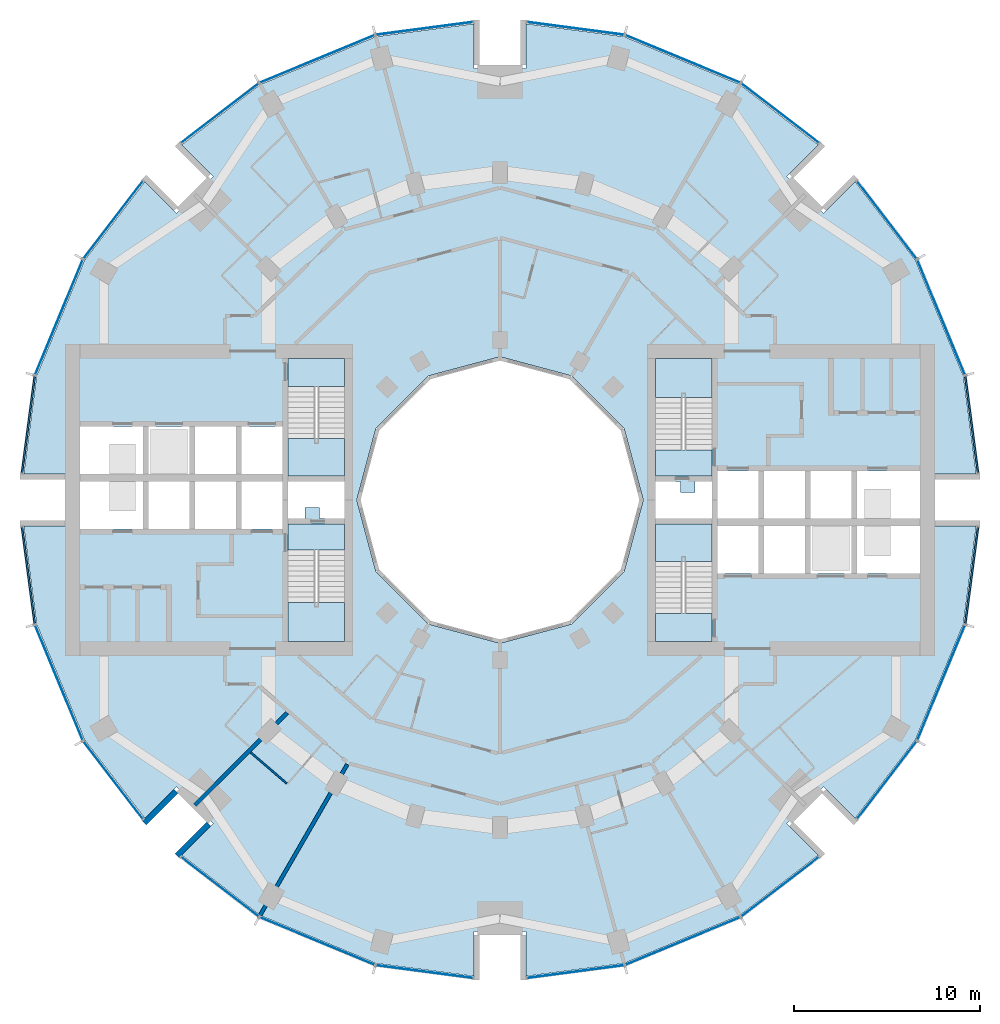
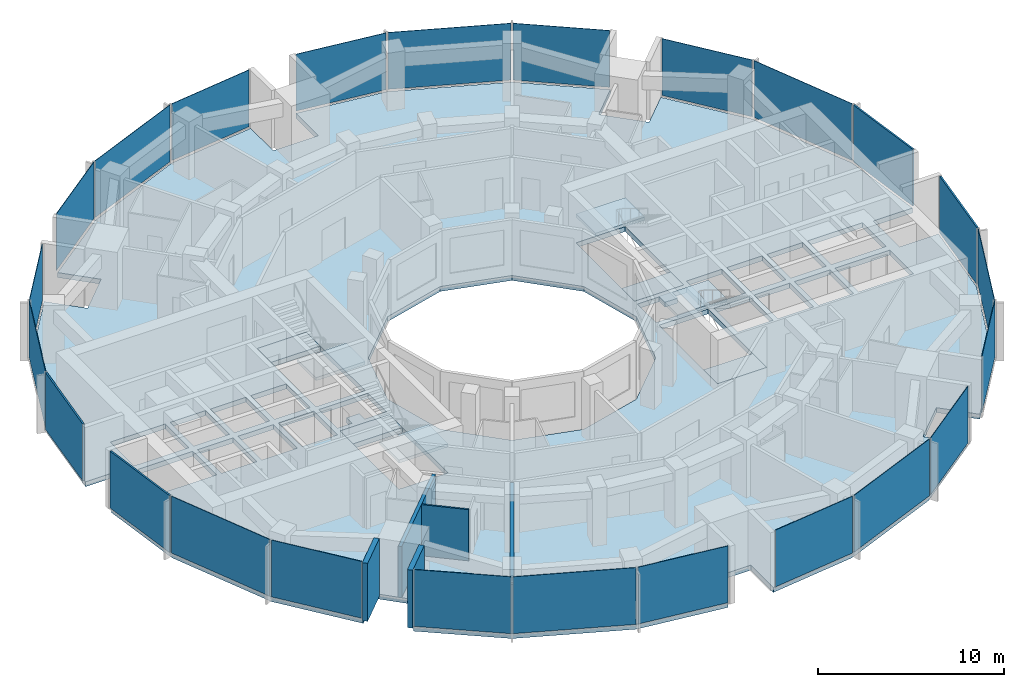
# One storey, part 7 of 15: 24 plates, 9 slabs, 5 walls, 28 elements without a shape of their own.
"""IFC4 building model written with IfcOpenShell, lengths in metres."""

import ifcopenshell
import ifcopenshell.guid

model = None  # the IFC model being written
_history = None  # IfcOwnerHistory: only IFC2X3 demands one
_inside = {}  # id of a spatial element -> (the spatial element, [elements in it])
_under = {}  # id of a project, library or spatial element -> (it, [spatial elements below it])
_declared = {}  # id of a project -> (the project, [libraries it declares])
_typed = {}  # id of a type object -> (the type object, [elements of that type])
_made_of = {}  # id of a material, layer set ... -> (it, [elements and type objects made of it])


def new_model(schema):
    """Start an empty IFC model of exactly this schema.

    Asked for "IFC4X3", IfcOpenShell would pick the latest addendum, in which some entities
    have other attributes; the version numbers below select the first issue.
    IFC2X3 requires an IfcOwnerHistory on every rooted entity: one is made here for all.
    """
    global model, _history
    if schema == "IFC4X3":
        model = ifcopenshell.file(schema_version=(4, 3, 0, 0))
    else:
        model = ifcopenshell.file(schema=schema)
    _inside.clear()
    _under.clear()
    _declared.clear()
    _typed.clear()
    _made_of.clear()
    _history = None
    if model.schema == "IFC2X3":
        org = make("IfcOrganization", Name="unknown")
        user = make(
            "IfcPersonAndOrganization",
            ThePerson=make("IfcPerson", FamilyName="unknown"),
            TheOrganization=org,
        )
        app = make(
            "IfcApplication",
            ApplicationDeveloper=org,
            Version="unknown",
            ApplicationFullName="unknown",
            ApplicationIdentifier="unknown",
        )
        _history = make(
            "IfcOwnerHistory",
            OwningUser=user,
            OwningApplication=app,
            ChangeAction="ADDED",
            CreationDate=0,
        )
    return model


def make(cls, **values):
    """One entity of the class cls with the attributes given. An attribute that is None is left unset."""
    return model.create_entity(
        cls, **{name: value for name, value in values.items() if value is not None}
    )


def rooted(cls, **values):
    """An entity with a GlobalId (a new one), such as an element, a storey or a relation."""
    return make(cls, GlobalId=ifcopenshell.guid.new(), OwnerHistory=_history, **values)


def si_unit(unit_type, name, prefix=None):
    """IfcSIUnit, for example si_unit("LENGTHUNIT", "METRE", prefix="MILLI")."""
    return make("IfcSIUnit", UnitType=unit_type, Prefix=prefix, Name=name)


def assignment(units):
    """IfcUnitAssignment: the units of a project."""
    return None if units is None else make("IfcUnitAssignment", Units=units)


def point(xyz):
    """IfcCartesianPoint."""
    return None if xyz is None else make("IfcCartesianPoint", Coordinates=xyz)


def direction(xyz):
    """IfcDirection."""
    return None if xyz is None else make("IfcDirection", DirectionRatios=xyz)


def frame(location, z_axis=None, x_axis=None):
    """IfcAxis2Placement3D, a coordinate frame: its origin and axes. An axis left out is left unset."""
    return make(
        "IfcAxis2Placement3D",
        Location=point(location),
        Axis=direction(z_axis),
        RefDirection=direction(x_axis),
    )


def frame_2d(location, x_axis=None):
    """IfcAxis2Placement2D, a coordinate frame in the plane: its origin and x axis."""
    return make(
        "IfcAxis2Placement2D", Location=point(location), RefDirection=direction(x_axis)
    )


def origin():
    """The frame at (0, 0, 0) with its axes left unset."""
    return frame((0.0, 0.0, 0.0))


def origin_2d():
    """The frame at (0, 0) in the plane with its x axis left unset."""
    return frame_2d((0.0, 0.0))


def place(relative_to, where):
    """IfcLocalPlacement: puts the frame where relative to a parent placement (None: the world)."""
    return make(
        "IfcLocalPlacement", PlacementRelTo=relative_to, RelativePlacement=where
    )


def context(
    kind, dimensions, precision=None, world=None, true_north=None, identifier=None
):
    """IfcGeometricRepresentationContext, for example the 3D "Model" context."""
    return make(
        "IfcGeometricRepresentationContext",
        ContextIdentifier=identifier,
        ContextType=kind,
        CoordinateSpaceDimension=dimensions,
        Precision=precision,
        WorldCoordinateSystem=world,
        TrueNorth=true_north,
    )


def subcontext(parent, identifier, kind, view, scale=None):
    """IfcGeometricRepresentationSubContext, for example "Body" below "Model"."""
    return make(
        "IfcGeometricRepresentationSubContext",
        ContextIdentifier=identifier,
        ContextType=kind,
        ParentContext=parent,
        TargetScale=scale,
        TargetView=view,
    )


def project(units=None, contexts=None):
    """IfcProject with its units and contexts."""
    return rooted(
        "IfcProject",
        Name="project",
        RepresentationContexts=contexts,
        UnitsInContext=assignment(units),
    )


def spatial(cls, under=None, at=None, **own):
    """A site, building, storey or space (cls), placed at a placement, below another one or the project."""
    s = rooted(cls, ObjectPlacement=at, **own)
    if under is not None:
        _under.setdefault(under.id(), (under, []))[1].append(s)
    return s


def polyline(points):
    """IfcPolyline through the points."""
    return make("IfcPolyline", Points=[point(p) for p in points])


def profile(cls, at=None, kind="AREA", **sizes):
    """A parametric profile (cls). Its sizes go by their IFC names, for example OverallWidth=200.0."""
    return make(cls, ProfileType=kind, Position=at, **sizes)


def rectangle(**sizes):
    """IfcRectangleProfileDef."""
    return profile("IfcRectangleProfileDef", **sizes)


def outline(outer, holes=None, kind="AREA"):
    """IfcArbitraryClosedProfileDef: a profile drawn as a closed curve; with holes, ...WithVoids."""
    if holes is None:
        return make("IfcArbitraryClosedProfileDef", ProfileType=kind, OuterCurve=outer)
    return make(
        "IfcArbitraryProfileDefWithVoids",
        ProfileType=kind,
        OuterCurve=outer,
        InnerCurves=holes,
    )


def extrude(swept, where, along, depth):
    """IfcExtrudedAreaSolid: the profile swept, set in the frame where, extruded along a direction by depth."""
    return make(
        "IfcExtrudedAreaSolid",
        SweptArea=swept,
        Position=where,
        ExtrudedDirection=direction(along),
        Depth=depth,
    )


def shape(context_of_items, identifier, shape_type, items):
    """IfcShapeRepresentation: the items that make up one representation, for example the "Body"."""
    return make(
        "IfcShapeRepresentation",
        ContextOfItems=context_of_items,
        RepresentationIdentifier=identifier,
        RepresentationType=shape_type,
        Items=items,
    )


def material(Name=None, Category=None):
    """IfcMaterial."""
    return make("IfcMaterial", Name=Name, Category=Category)


def layer(
    of_material, thickness, ventilated=None, Name=None, Category=None, Priority=None
):
    """IfcMaterialLayer: one layer of a wall or slab, of a material (None: an air gap)."""
    return make(
        "IfcMaterialLayer",
        Material=of_material,
        LayerThickness=thickness,
        IsVentilated=ventilated,
        Name=Name,
        Category=Category,
        Priority=Priority,
    )


def layer_set(layers, Name=None):
    """IfcMaterialLayerSet."""
    return make("IfcMaterialLayerSet", MaterialLayers=layers, LayerSetName=Name)


def made_of(thing, what):
    """Note that an element or type object is made of a material, layer set ...; save() writes the relation."""
    if what is not None:
        _made_of.setdefault(what.id(), (what, []))[1].append(thing)
    return thing


def type_object(cls, material=None, **own):
    """A type object (cls), such as IfcWallType, which elements share."""
    return made_of(rooted(cls, **own), material)


def element(
    cls,
    number,
    at=None,
    inside=None,
    cuts=None,
    type_object=None,
    material=None,
    context=None,
    identifier="Body",
    shape_type=None,
    held_by="IfcProductDefinitionShape",
    body=None,
    shapes=None,
    **own,
):
    """One element of the class cls, such as IfcWall. Its Tag is "e" and its number.

    at: its placement. inside: the storey or other place that contains it. cuts: it is an
    opening in that element (IfcRelVoidsElement). A single representation is given by context,
    identifier, shape_type and body (its items); several are given by shapes. held_by: the class
    of the entity that holds the representations. save() writes the other relations.
    """
    e = rooted(cls, Tag="e%d" % number, ObjectPlacement=at, **own)
    if body is not None:
        shapes = [shape(context, identifier, shape_type, body)]
    if shapes is not None:
        e.Representation = make(held_by, Representations=shapes)
    if inside is not None:
        _inside.setdefault(inside.id(), (inside, []))[1].append(e)
    if cuts is not None:
        rooted(
            "IfcRelVoidsElement", RelatingBuildingElement=cuts, RelatedOpeningElement=e
        )
    if type_object is not None:
        _typed.setdefault(type_object.id(), (type_object, []))[1].append(e)
    return made_of(e, material)


def aggregate(whole, parts):
    """IfcRelAggregates: a whole, such as a stair, and the parts it consists of."""
    return rooted("IfcRelAggregates", RelatingObject=whole, RelatedObjects=parts)


def save(model, path):
    """Write the relations noted so far, then the file.

    IfcRelAggregates (storeys below a building ...), IfcRelContainedInSpatialStructure (elements
    in a storey), IfcRelDefinesByType, IfcRelAssociatesMaterial and IfcRelDeclares: one each for
    every whole, place, type object, material and project.
    """
    for whole, parts in _under.values():
        aggregate(whole, parts)
    for where, things in _inside.values():
        rooted(
            "IfcRelContainedInSpatialStructure",
            RelatedElements=things,
            RelatingStructure=where,
        )
    for kind, things in _typed.values():
        rooted("IfcRelDefinesByType", RelatedObjects=things, RelatingType=kind)
    for what, things in _made_of.values():
        rooted("IfcRelAssociatesMaterial", RelatedObjects=things, RelatingMaterial=what)
    for by, libraries in _declared.values():
        rooted("IfcRelDeclares", RelatingContext=by, RelatedDefinitions=libraries)
    model.write(path)


model = new_model("IFC4")

# Units and contexts
model_context = context("Model", 3, precision=1e-05, world=origin(), true_north=direction((0.0, 1.0)))
body_context = subcontext(model_context, "Body", "Model", "MODEL_VIEW")
ifc_project = project(units=[si_unit("LENGTHUNIT", "METRE"), si_unit("AREAUNIT", "SQUARE_METRE"), si_unit("VOLUMEUNIT", "CUBIC_METRE"), si_unit("PLANEANGLEUNIT", "RADIAN"), si_unit("MASSUNIT", "GRAM", prefix="KILO")], contexts=[model_context])

# Site, building, storey
site_placement = place(None, origin())
site = spatial("IfcSite", under=ifc_project, at=site_placement, CompositionType="ELEMENT")
building_placement = place(site_placement, origin())
building = spatial("IfcBuilding", under=site, at=building_placement, Name="Torre Brocal", CompositionType="ELEMENT")
storey_placement = place(building_placement, frame((0.0, 0.0, 101.39990234375)))
storey = spatial("IfcBuildingStorey", under=building, at=storey_placement, Name="L23", CompositionType="ELEMENT", Elevation=101.39990234375)

# Curtain wall, plate
ifc_material_1 = material(Name="Aluminium and glass", Category="aluminium")
ifc_layer_1 = layer(ifc_material_1, 0.199951171875)
ifc_layer_set_1 = layer_set([ifc_layer_1], Name="Aluminium and glass")
curtain_wall_type_1 = type_object("IfcCurtainWallType", Name="CW-1 CURTAIN WALL 3800 HIGH", PredefinedType="NOTDEFINED", material=ifc_layer_set_1)
curtain_wall_1_placement = place(storey_placement, origin())
curtain_wall_1 = element("IfcCurtainWall", 1, at=curtain_wall_1_placement, inside=storey, type_object=curtain_wall_type_1, Name="CW-1 RUN 2", PredefinedType="NOTDEFINED")
ifc_material_2 = material(Name="Glass, dark tinted laminated", Category="glass")
ifc_layer_2 = layer(ifc_material_2, 0.031982421875)
ifc_layer_set_2 = layer_set([ifc_layer_2], Name="Glass, dark tinted laminated")
plate_type_1 = type_object("IfcPlateType", Name="CW-1 GLASS PANEL 32", PredefinedType="CURTAIN_PANEL", material=ifc_layer_set_2)
plate_1_placement = place(storey_placement, frame((103.722900390625, 84.826416015625, 0.080078125), z_axis=(0.0, 0.0, 1.0), x_axis=(-0.382683432333, 0.923879532525, 0.0)))
plate_1 = element("IfcPlate", 2, at=plate_1_placement, type_object=plate_type_1, Name="CW1-1 panel 1.1", PredefinedType="CURTAIN_PANEL", context=body_context, shape_type="SweptSolid", body=[
    extrude(rectangle(XDim=6.64111328125, YDim=0.031982421875, at=origin_2d()), origin(), (0.0, 0.0, 1.0), 3.719970703125),
])
aggregate(curtain_wall_1, [plate_1])

curtain_wall_2_placement = place(storey_placement, origin())
curtain_wall_2 = element("IfcCurtainWall", 3, at=curtain_wall_2_placement, inside=storey, type_object=curtain_wall_type_1, Name="CW-1 RUN 3", PredefinedType="NOTDEFINED")
plate_2_placement = place(storey_placement, frame((100.80126953125, 90.0712890625, 0.080078125), z_axis=(0.0, 0.0, 1.0), x_axis=(-0.60876142905, 0.793353340259, 0.0)))
plate_2 = element("IfcPlate", 4, at=plate_2_placement, type_object=plate_type_1, Name="CW1-1 panel 1.1", PredefinedType="CURTAIN_PANEL", context=body_context, shape_type="SweptSolid", body=[
    extrude(rectangle(XDim=5.22900390625, YDim=0.031982421875, at=origin_2d()), origin(), (0.0, 0.0, 1.0), 3.719970703125),
])
aggregate(curtain_wall_2, [plate_2])

curtain_wall_3_placement = place(storey_placement, origin())
curtain_wall_3 = element("IfcCurtainWall", 5, at=curtain_wall_3_placement, inside=storey, type_object=curtain_wall_type_1, Name="CW-1 RUN 4", PredefinedType="NOTDEFINED")
plate_3_placement = place(storey_placement, frame((95.0712890625, 95.80126953125, 0.080078125), z_axis=(0.0, 0.0, 1.0), x_axis=(-0.793353340259, 0.60876142905, 0.0)))
plate_3 = element("IfcPlate", 6, at=plate_3_placement, type_object=plate_type_1, Name="CW1-1 panel 1.1", PredefinedType="CURTAIN_PANEL", context=body_context, shape_type="SweptSolid", body=[
    extrude(rectangle(XDim=5.22900390625, YDim=0.031982421875, at=origin_2d()), origin(), (0.0, 0.0, 1.0), 3.719970703125),
])
aggregate(curtain_wall_3, [plate_3])

curtain_wall_4_placement = place(storey_placement, origin())
curtain_wall_4 = element("IfcCurtainWall", 7, at=curtain_wall_4_placement, inside=storey, type_object=curtain_wall_type_1, Name="CW-1 RUN 5", PredefinedType="NOTDEFINED")
plate_4_placement = place(storey_placement, frame((89.826416015625, 98.722900390625, 0.080078125), z_axis=(0.0, 0.0, 1.0), x_axis=(-0.923879532525, 0.382683432333, 0.0)))
plate_4 = element("IfcPlate", 8, at=plate_4_placement, type_object=plate_type_1, Name="CW1-1 panel 1.1", PredefinedType="CURTAIN_PANEL", context=body_context, shape_type="SweptSolid", body=[
    extrude(rectangle(XDim=6.64111328125, YDim=0.031982421875, at=origin_2d()), origin(), (0.0, 0.0, 1.0), 3.719970703125),
])
aggregate(curtain_wall_4, [plate_4])

curtain_wall_5_placement = place(storey_placement, origin())
curtain_wall_5 = element("IfcCurtainWall", 9, at=curtain_wall_5_placement, inside=storey, type_object=curtain_wall_type_1, Name="CW-1 RUN 6", PredefinedType="NOTDEFINED")
plate_5_placement = place(storey_placement, frame((84.051513671875, 100.36572265625, 0.080078125), z_axis=(0.0, 0.0, 1.0), x_axis=(-0.991444861374, 0.13052619222, 0.0)))
plate_5 = element("IfcPlate", 10, at=plate_5_placement, type_object=plate_type_1, Name="CW1-1 panel 1.1", PredefinedType="CURTAIN_PANEL", context=body_context, shape_type="SweptSolid", body=[
    extrude(rectangle(XDim=5.22900390625, YDim=0.031982421875, at=origin_2d()), origin(), (0.0, 0.0, 1.0), 3.719970703125),
])
aggregate(curtain_wall_5, [plate_5])

curtain_wall_6_placement = place(storey_placement, origin())
curtain_wall_6 = element("IfcCurtainWall", 11, at=curtain_wall_6_placement, inside=storey, type_object=curtain_wall_type_1, Name="CW-1 RUN 7", PredefinedType="NOTDEFINED")
plate_6_placement = place(storey_placement, frame((75.948486328125, 100.36572265625, 0.080078125), z_axis=(0.0, 0.0, 1.0), x_axis=(-0.991444861374, -0.13052619222, 0.0)))
plate_6 = element("IfcPlate", 12, at=plate_6_placement, type_object=plate_type_1, Name="CW1-1 panel 1.1", PredefinedType="CURTAIN_PANEL", context=body_context, shape_type="SweptSolid", body=[
    extrude(rectangle(XDim=5.22900390625, YDim=0.031982421875, at=origin_2d()), origin(), (0.0, 0.0, 1.0), 3.719970703125),
])
aggregate(curtain_wall_6, [plate_6])

curtain_wall_7_placement = place(storey_placement, origin())
curtain_wall_7 = element("IfcCurtainWall", 13, at=curtain_wall_7_placement, inside=storey, type_object=curtain_wall_type_1, Name="CW-1 RUN 8", PredefinedType="NOTDEFINED")
plate_7_placement = place(storey_placement, frame((70.173583984375, 98.722900390625, 0.080078125), z_axis=(0.0, 0.0, 1.0), x_axis=(-0.923879532525, -0.382683432333, 0.0)))
plate_7 = element("IfcPlate", 14, at=plate_7_placement, type_object=plate_type_1, Name="CW1-1 panel 1.1", PredefinedType="CURTAIN_PANEL", context=body_context, shape_type="SweptSolid", body=[
    extrude(rectangle(XDim=6.64111328125, YDim=0.031982421875, at=origin_2d()), origin(), (0.0, 0.0, 1.0), 3.719970703125),
])
aggregate(curtain_wall_7, [plate_7])

curtain_wall_8_placement = place(storey_placement, origin())
curtain_wall_8 = element("IfcCurtainWall", 15, at=curtain_wall_8_placement, inside=storey, type_object=curtain_wall_type_1, Name="CW-1 RUN 9", PredefinedType="NOTDEFINED")
plate_8_placement = place(storey_placement, frame((64.9287109375, 95.80126953125, 0.080078125), z_axis=(0.0, 0.0, 1.0), x_axis=(-0.793353340259, -0.60876142905, 0.0)))
plate_8 = element("IfcPlate", 16, at=plate_8_placement, type_object=plate_type_1, Name="CW1-1 panel 1.1", PredefinedType="CURTAIN_PANEL", context=body_context, shape_type="SweptSolid", body=[
    extrude(rectangle(XDim=5.22900390625, YDim=0.031982421875, at=origin_2d()), origin(), (0.0, 0.0, 1.0), 3.719970703125),
])
aggregate(curtain_wall_8, [plate_8])

curtain_wall_9_placement = place(storey_placement, origin())
curtain_wall_9 = element("IfcCurtainWall", 17, at=curtain_wall_9_placement, inside=storey, type_object=curtain_wall_type_1, Name="CW-1 RUN 10", PredefinedType="NOTDEFINED")
plate_9_placement = place(storey_placement, frame((59.19873046875, 90.0712890625, 0.080078125), z_axis=(0.0, 0.0, 1.0), x_axis=(-0.60876142905, -0.793353340259, 0.0)))
plate_9 = element("IfcPlate", 18, at=plate_9_placement, type_object=plate_type_1, Name="CW1-1 panel 1.1", PredefinedType="CURTAIN_PANEL", context=body_context, shape_type="SweptSolid", body=[
    extrude(rectangle(XDim=5.22900390625, YDim=0.031982421875, at=origin_2d()), origin(), (0.0, 0.0, 1.0), 3.719970703125),
])
aggregate(curtain_wall_9, [plate_9])

curtain_wall_10_placement = place(storey_placement, origin())
curtain_wall_10 = element("IfcCurtainWall", 19, at=curtain_wall_10_placement, inside=storey, type_object=curtain_wall_type_1, Name="CW-1 RUN 11", PredefinedType="NOTDEFINED")
plate_10_placement = place(storey_placement, frame((56.277099609375, 84.826416015625, 0.080078125), z_axis=(0.0, 0.0, 1.0), x_axis=(-0.382683432333, -0.923879532525, 0.0)))
plate_10 = element("IfcPlate", 20, at=plate_10_placement, type_object=plate_type_1, Name="CW1-1 panel 1.1", PredefinedType="CURTAIN_PANEL", context=body_context, shape_type="SweptSolid", body=[
    extrude(rectangle(XDim=6.64111328125, YDim=0.031982421875, at=origin_2d()), origin(), (0.0, 0.0, 1.0), 3.719970703125),
])
aggregate(curtain_wall_10, [plate_10])

curtain_wall_11_placement = place(storey_placement, origin())
curtain_wall_11 = element("IfcCurtainWall", 21, at=curtain_wall_11_placement, inside=storey, type_object=curtain_wall_type_1, Name="CW-1 RUN 14", PredefinedType="NOTDEFINED")
plate_11_placement = place(storey_placement, frame((56.277099609375, 65.173583984375, 0.080078125), z_axis=(0.0, 0.0, 1.0), x_axis=(0.382683432333, -0.923879532525, 0.0)))
plate_11 = element("IfcPlate", 22, at=plate_11_placement, type_object=plate_type_1, Name="CW1-1 panel 1.1", PredefinedType="CURTAIN_PANEL", context=body_context, shape_type="SweptSolid", body=[
    extrude(rectangle(XDim=6.64111328125, YDim=0.031982421875, at=origin_2d()), origin(), (0.0, 0.0, 1.0), 3.719970703125),
])
aggregate(curtain_wall_11, [plate_11])

curtain_wall_12_placement = place(storey_placement, origin())
curtain_wall_12 = element("IfcCurtainWall", 23, at=curtain_wall_12_placement, inside=storey, type_object=curtain_wall_type_1, Name="CW-1 RUN 15", PredefinedType="NOTDEFINED")
plate_12_placement = place(storey_placement, frame((59.19873046875, 59.9287109375, 0.080078125), z_axis=(0.0, 0.0, 1.0), x_axis=(0.60876142905, -0.793353340259, 0.0)))
plate_12 = element("IfcPlate", 24, at=plate_12_placement, type_object=plate_type_1, Name="CW1-1 panel 1.1", PredefinedType="CURTAIN_PANEL", context=body_context, shape_type="SweptSolid", body=[
    extrude(rectangle(XDim=5.22900390625, YDim=0.031982421875, at=origin_2d()), origin(), (0.0, 0.0, 1.0), 3.719970703125),
])
aggregate(curtain_wall_12, [plate_12])

curtain_wall_13_placement = place(storey_placement, origin())
curtain_wall_13 = element("IfcCurtainWall", 25, at=curtain_wall_13_placement, inside=storey, type_object=curtain_wall_type_1, Name="CW-1 RUN 16", PredefinedType="NOTDEFINED")
plate_13_placement = place(storey_placement, frame((64.9287109375, 54.19873046875, 0.080078125), z_axis=(0.0, 0.0, 1.0), x_axis=(0.793353340259, -0.60876142905, 0.0)))
plate_13 = element("IfcPlate", 26, at=plate_13_placement, type_object=plate_type_1, Name="CW1-1 panel 1.1", PredefinedType="CURTAIN_PANEL", context=body_context, shape_type="SweptSolid", body=[
    extrude(rectangle(XDim=5.22900390625, YDim=0.031982421875, at=origin_2d()), origin(), (0.0, 0.0, 1.0), 3.719970703125),
])
aggregate(curtain_wall_13, [plate_13])

curtain_wall_14_placement = place(storey_placement, origin())
curtain_wall_14 = element("IfcCurtainWall", 27, at=curtain_wall_14_placement, inside=storey, type_object=curtain_wall_type_1, Name="CW-1 RUN 17", PredefinedType="NOTDEFINED")
plate_14_placement = place(storey_placement, frame((70.173583984375, 51.277099609375, 0.080078125), z_axis=(0.0, 0.0, 1.0), x_axis=(0.923879532525, -0.382683432333, 0.0)))
plate_14 = element("IfcPlate", 28, at=plate_14_placement, type_object=plate_type_1, Name="CW1-1 panel 1.1", PredefinedType="CURTAIN_PANEL", context=body_context, shape_type="SweptSolid", body=[
    extrude(rectangle(XDim=6.64111328125, YDim=0.031982421875, at=origin_2d()), origin(), (0.0, 0.0, 1.0), 3.719970703125),
])
aggregate(curtain_wall_14, [plate_14])

curtain_wall_15_placement = place(storey_placement, origin())
curtain_wall_15 = element("IfcCurtainWall", 29, at=curtain_wall_15_placement, inside=storey, type_object=curtain_wall_type_1, Name="CW-1 RUN 18", PredefinedType="NOTDEFINED")
plate_15_placement = place(storey_placement, frame((75.948486328125, 49.63427734375, 0.080078125), z_axis=(0.0, 0.0, 1.0), x_axis=(0.991444861374, -0.13052619222, 0.0)))
plate_15 = element("IfcPlate", 30, at=plate_15_placement, type_object=plate_type_1, Name="CW1-1 panel 1.1", PredefinedType="CURTAIN_PANEL", context=body_context, shape_type="SweptSolid", body=[
    extrude(rectangle(XDim=5.22900390625, YDim=0.031982421875, at=origin_2d()), origin(), (0.0, 0.0, 1.0), 3.719970703125),
])
aggregate(curtain_wall_15, [plate_15])

curtain_wall_16_placement = place(storey_placement, origin())
curtain_wall_16 = element("IfcCurtainWall", 31, at=curtain_wall_16_placement, inside=storey, type_object=curtain_wall_type_1, Name="CW-1 RUN 19", PredefinedType="NOTDEFINED")
plate_16_placement = place(storey_placement, frame((84.051513671875, 49.63427734375, 0.080078125), z_axis=(0.0, 0.0, 1.0), x_axis=(0.991444861374, 0.13052619222, 0.0)))
plate_16 = element("IfcPlate", 32, at=plate_16_placement, type_object=plate_type_1, Name="CW1-1 panel 1.1", PredefinedType="CURTAIN_PANEL", context=body_context, shape_type="SweptSolid", body=[
    extrude(rectangle(XDim=5.22900390625, YDim=0.031982421875, at=origin_2d()), origin(), (0.0, 0.0, 1.0), 3.719970703125),
])
aggregate(curtain_wall_16, [plate_16])

curtain_wall_17_placement = place(storey_placement, origin())
curtain_wall_17 = element("IfcCurtainWall", 33, at=curtain_wall_17_placement, inside=storey, type_object=curtain_wall_type_1, Name="CW-1 RUN 20", PredefinedType="NOTDEFINED")
plate_17_placement = place(storey_placement, frame((89.826416015625, 51.277099609375, 0.080078125), z_axis=(0.0, 0.0, 1.0), x_axis=(0.923879532525, 0.382683432333, 0.0)))
plate_17 = element("IfcPlate", 34, at=plate_17_placement, type_object=plate_type_1, Name="CW1-1 panel 1.1", PredefinedType="CURTAIN_PANEL", context=body_context, shape_type="SweptSolid", body=[
    extrude(rectangle(XDim=6.64111328125, YDim=0.031982421875, at=origin_2d()), origin(), (0.0, 0.0, 1.0), 3.719970703125),
])
aggregate(curtain_wall_17, [plate_17])

curtain_wall_18_placement = place(storey_placement, origin())
curtain_wall_18 = element("IfcCurtainWall", 35, at=curtain_wall_18_placement, inside=storey, type_object=curtain_wall_type_1, Name="CW-1 RUN 21", PredefinedType="NOTDEFINED")
plate_18_placement = place(storey_placement, frame((95.0712890625, 54.19873046875, 0.080078125), z_axis=(0.0, 0.0, 1.0), x_axis=(0.793353340259, 0.60876142905, 0.0)))
plate_18 = element("IfcPlate", 36, at=plate_18_placement, type_object=plate_type_1, Name="CW1-1 panel 1.1", PredefinedType="CURTAIN_PANEL", context=body_context, shape_type="SweptSolid", body=[
    extrude(rectangle(XDim=5.22900390625, YDim=0.031982421875, at=origin_2d()), origin(), (0.0, 0.0, 1.0), 3.719970703125),
])
aggregate(curtain_wall_18, [plate_18])

curtain_wall_19_placement = place(storey_placement, origin())
curtain_wall_19 = element("IfcCurtainWall", 37, at=curtain_wall_19_placement, inside=storey, type_object=curtain_wall_type_1, Name="CW-1 RUN 22", PredefinedType="NOTDEFINED")
plate_19_placement = place(storey_placement, frame((100.80126953125, 59.9287109375, 0.080078125), z_axis=(0.0, 0.0, 1.0), x_axis=(0.60876142905, 0.793353340259, 0.0)))
plate_19 = element("IfcPlate", 38, at=plate_19_placement, type_object=plate_type_1, Name="CW1-1 panel 1.1", PredefinedType="CURTAIN_PANEL", context=body_context, shape_type="SweptSolid", body=[
    extrude(rectangle(XDim=5.22900390625, YDim=0.031982421875, at=origin_2d()), origin(), (0.0, 0.0, 1.0), 3.719970703125),
])
aggregate(curtain_wall_19, [plate_19])

curtain_wall_20_placement = place(storey_placement, origin())
curtain_wall_20 = element("IfcCurtainWall", 39, at=curtain_wall_20_placement, inside=storey, type_object=curtain_wall_type_1, Name="CW-1 RUN 23", PredefinedType="NOTDEFINED")
plate_20_placement = place(storey_placement, frame((103.722900390625, 65.173583984375, 0.080078125), z_axis=(0.0, 0.0, 1.0), x_axis=(0.382683432333, 0.923879532525, 0.0)))
plate_20 = element("IfcPlate", 40, at=plate_20_placement, type_object=plate_type_1, Name="CW1-1 panel 1.1", PredefinedType="CURTAIN_PANEL", context=body_context, shape_type="SweptSolid", body=[
    extrude(rectangle(XDim=6.64111328125, YDim=0.031982421875, at=origin_2d()), origin(), (0.0, 0.0, 1.0), 3.719970703125),
])
aggregate(curtain_wall_20, [plate_20])

ifc_material_3 = material(Name="Aluminium and glass", Category="aluminium")
ifc_layer_3 = layer(ifc_material_3, 0.199951171875)
ifc_layer_set_3 = layer_set([ifc_layer_3], Name="Aluminium and glass")
curtain_wall_type_2 = type_object("IfcCurtainWallType", Name="CW-1B CURTAIN WALL 3800 HIGH", PredefinedType="NOTDEFINED", material=ifc_layer_set_3)
curtain_wall_21_placement = place(storey_placement, origin())
curtain_wall_21 = element("IfcCurtainWall", 41, at=curtain_wall_21_placement, inside=storey, type_object=curtain_wall_type_2, Name="CW-1B RUN 1", PredefinedType="NOTDEFINED")
ifc_material_4 = material(Name="Aluminium composite panel", Category="aluminium")
ifc_layer_4 = layer(ifc_material_4, 0.10009765625)
ifc_layer_set_4 = layer_set([ifc_layer_4], Name="Aluminium composite panel")
plate_type_2 = type_object("IfcPlateType", Name="CW-1B OPAQUE PANEL 100", PredefinedType="CURTAIN_PANEL", material=ifc_layer_set_4)
plate_21_placement = place(storey_placement, frame((105.36572265625, 79.051513671875, 0.080078125), z_axis=(0.0, 0.0, 1.0), x_axis=(-0.13052619222, 0.991444861374, 0.0)))
plate_21 = element("IfcPlate", 42, at=plate_21_placement, type_object=plate_type_2, Name="CW1B-1 panel 1.1", PredefinedType="CURTAIN_PANEL", context=body_context, shape_type="SweptSolid", body=[
    extrude(rectangle(XDim=5.22900390625, YDim=0.10009765625, at=origin_2d()), origin(), (0.0, 0.0, 1.0), 3.719970703125),
])
aggregate(curtain_wall_21, [plate_21])

curtain_wall_22_placement = place(storey_placement, origin())
curtain_wall_22 = element("IfcCurtainWall", 43, at=curtain_wall_22_placement, inside=storey, type_object=curtain_wall_type_2, Name="CW-1B RUN 12", PredefinedType="NOTDEFINED")
plate_22_placement = place(storey_placement, frame((54.63427734375, 79.051513671875, 0.080078125), z_axis=(0.0, 0.0, 1.0), x_axis=(-0.13052619222, -0.991444861374, 0.0)))
plate_22 = element("IfcPlate", 44, at=plate_22_placement, type_object=plate_type_2, Name="CW1B-1 panel 1.1", PredefinedType="CURTAIN_PANEL", context=body_context, shape_type="SweptSolid", body=[
    extrude(rectangle(XDim=5.22900390625, YDim=0.10009765625, at=origin_2d()), origin(), (0.0, 0.0, 1.0), 3.719970703125),
])
aggregate(curtain_wall_22, [plate_22])

curtain_wall_23_placement = place(storey_placement, origin())
curtain_wall_23 = element("IfcCurtainWall", 45, at=curtain_wall_23_placement, inside=storey, type_object=curtain_wall_type_2, Name="CW-1B RUN 13", PredefinedType="NOTDEFINED")
plate_23_placement = place(storey_placement, frame((54.63427734375, 70.948486328125, 0.080078125), z_axis=(0.0, 0.0, 1.0), x_axis=(0.13052619222, -0.991444861374, 0.0)))
plate_23 = element("IfcPlate", 46, at=plate_23_placement, type_object=plate_type_2, Name="CW1B-1 panel 1.1", PredefinedType="CURTAIN_PANEL", context=body_context, shape_type="SweptSolid", body=[
    extrude(rectangle(XDim=5.22900390625, YDim=0.10009765625, at=origin_2d()), origin(), (0.0, 0.0, 1.0), 3.719970703125),
])
aggregate(curtain_wall_23, [plate_23])

curtain_wall_24_placement = place(storey_placement, origin())
curtain_wall_24 = element("IfcCurtainWall", 47, at=curtain_wall_24_placement, inside=storey, type_object=curtain_wall_type_2, Name="CW-1B RUN 24", PredefinedType="NOTDEFINED")
plate_24_placement = place(storey_placement, frame((105.36572265625, 70.948486328125, 0.080078125), z_axis=(0.0, 0.0, 1.0), x_axis=(0.13052619222, 0.991444861374, 0.0)))
plate_24 = element("IfcPlate", 48, at=plate_24_placement, type_object=plate_type_2, Name="CW1B-1 panel 1.1", PredefinedType="CURTAIN_PANEL", context=body_context, shape_type="SweptSolid", body=[
    extrude(rectangle(XDim=5.22900390625, YDim=0.10009765625, at=origin_2d()), origin(), (0.0, 0.0, 1.0), 3.719970703125),
])
aggregate(curtain_wall_24, [plate_24])

# Stair, slab
ifc_material_5 = material(Name="Concrete C50", Category="concrete")
stair_type = type_object("IfcStairType", Name="EXIT STAIR", PredefinedType="HALF_TURN_STAIR", material=ifc_material_5)
stair_1_placement = place(storey_placement, origin())
stair_1 = element("IfcStair", 49, at=stair_1_placement, inside=storey, type_object=stair_type, Name="EXIT STAIR ST1", PredefinedType="HALF_TURN_STAIR")
ifc_material_6 = material(Name="Concrete C50", Category="concrete")
ifc_layer_5 = layer(ifc_material_6, 0.320068359375)
ifc_layer_set_5 = layer_set([ifc_layer_5], Name="Concrete C50")
slab_type_1 = type_object("IfcSlabType", Name="FLOOR LANDING 320", PredefinedType="LANDING", material=ifc_layer_set_5)
slab_1_placement = place(storey_placement, frame((0.0, 0.0, -0.31982421875)))
slab_1 = element("IfcSlab", 50, at=slab_1_placement, type_object=slab_type_1, Name="ST1 landing 1", PredefinedType="LANDING", context=body_context, shape_type="SweptSolid", body=[
    extrude(outline(polyline([(88.35009765625, 76.300048828125), (91.39990234375, 76.300048828125), (91.39990234375, 77.699951171875), (88.35009765625, 77.699951171875), (88.35009765625, 76.300048828125)])), origin(), (0.0, 0.0, 1.0), 0.31982421875),
])

stair_2_placement = place(storey_placement, origin())
stair_2 = element("IfcStair", 51, at=stair_2_placement, inside=storey, type_object=stair_type, Name="EXIT STAIR ST2", PredefinedType="HALF_TURN_STAIR")
slab_2_placement = place(storey_placement, frame((0.0, 0.0, -0.31982421875)))
slab_2 = element("IfcSlab", 52, at=slab_2_placement, type_object=slab_type_1, Name="ST2 landing 1", PredefinedType="LANDING", context=body_context, shape_type="SweptSolid", body=[
    extrude(outline(polyline([(88.35009765625, 67.39990234375), (91.39990234375, 67.39990234375), (91.39990234375, 68.89990234375), (88.35009765625, 68.89990234375), (88.35009765625, 67.39990234375)])), origin(), (0.0, 0.0, 1.0), 0.31982421875),
])

stair_3_placement = place(storey_placement, origin())
stair_3 = element("IfcStair", 53, at=stair_3_placement, inside=storey, type_object=stair_type, Name="EXIT STAIR ST3", PredefinedType="HALF_TURN_STAIR")
slab_3_placement = place(storey_placement, frame((0.0, 0.0, -0.31982421875)))
slab_3 = element("IfcSlab", 54, at=slab_3_placement, type_object=slab_type_1, Name="ST3 landing 1", PredefinedType="LANDING", context=body_context, shape_type="SweptSolid", body=[
    extrude(outline(polyline([(71.64990234375, 73.699951171875), (68.60009765625, 73.699951171875), (68.60009765625, 72.300048828125), (71.64990234375, 72.300048828125), (71.64990234375, 73.699951171875)])), origin(), (0.0, 0.0, 1.0), 0.31982421875),
])

stair_4_placement = place(storey_placement, origin())
stair_4 = element("IfcStair", 55, at=stair_4_placement, inside=storey, type_object=stair_type, Name="EXIT STAIR ST4", PredefinedType="HALF_TURN_STAIR")
slab_4_placement = place(storey_placement, frame((0.0, 0.0, -0.31982421875)))
slab_4 = element("IfcSlab", 56, at=slab_4_placement, type_object=slab_type_1, Name="ST4 landing 1", PredefinedType="LANDING", context=body_context, shape_type="SweptSolid", body=[
    extrude(outline(polyline([(71.64990234375, 82.60009765625), (68.60009765625, 82.60009765625), (68.60009765625, 81.10009765625), (71.64990234375, 81.10009765625), (71.64990234375, 82.60009765625)])), origin(), (0.0, 0.0, 1.0), 0.31982421875),
])

# Slab
ifc_material_7 = material(Name="Concrete C50", Category="concrete")
ifc_layer_6 = layer(ifc_material_7, 0.199951171875)
ifc_layer_set_6 = layer_set([ifc_layer_6], Name="Concrete C50")
slab_type_2 = type_object("IfcSlabType", Name="MID LANDING +1900", PredefinedType="LANDING", material=ifc_layer_set_6)
slab_5_placement = place(storey_placement, frame((0.0, 0.0, 1.7001953125)))
slab_5 = element("IfcSlab", 57, at=slab_5_placement, type_object=slab_type_2, Name="ST1 landing 2", PredefinedType="LANDING", context=body_context, shape_type="SweptSolid", body=[
    extrude(outline(polyline([(88.35009765625, 80.5), (91.39990234375, 80.5), (91.39990234375, 82.60009765625), (88.35009765625, 82.60009765625), (88.35009765625, 80.5)])), origin(), (0.0, 0.0, 1.0), 0.199951171875),
])

aggregate(stair_1, [slab_1, slab_5])

slab_6_placement = place(storey_placement, frame((0.0, 0.0, 1.7001953125)))
slab_6 = element("IfcSlab", 58, at=slab_6_placement, type_object=slab_type_2, Name="ST2 landing 2", PredefinedType="LANDING", context=body_context, shape_type="SweptSolid", body=[
    extrude(outline(polyline([(88.35009765625, 71.699951171875), (91.39990234375, 71.699951171875), (91.39990234375, 73.699951171875), (88.35009765625, 73.699951171875), (88.35009765625, 71.699951171875)])), origin(), (0.0, 0.0, 1.0), 0.199951171875),
])

aggregate(stair_2, [slab_2, slab_6])

slab_7_placement = place(storey_placement, frame((0.0, 0.0, 1.7001953125)))
slab_7 = element("IfcSlab", 59, at=slab_7_placement, type_object=slab_type_2, Name="ST3 landing 2", PredefinedType="LANDING", context=body_context, shape_type="SweptSolid", body=[
    extrude(outline(polyline([(71.64990234375, 69.5), (68.60009765625, 69.5), (68.60009765625, 67.39990234375), (71.64990234375, 67.39990234375), (71.64990234375, 69.5)])), origin(), (0.0, 0.0, 1.0), 0.199951171875),
])

aggregate(stair_3, [slab_3, slab_7])

slab_8_placement = place(storey_placement, frame((0.0, 0.0, 1.7001953125)))
slab_8 = element("IfcSlab", 60, at=slab_8_placement, type_object=slab_type_2, Name="ST4 landing 2", PredefinedType="LANDING", context=body_context, shape_type="SweptSolid", body=[
    extrude(outline(polyline([(71.64990234375, 78.300048828125), (68.60009765625, 78.300048828125), (68.60009765625, 76.300048828125), (71.64990234375, 76.300048828125), (71.64990234375, 78.300048828125)])), origin(), (0.0, 0.0, 1.0), 0.199951171875),
])

aggregate(stair_4, [slab_4, slab_8])

ifc_material_8 = material(Name="Concrete C45", Category="concrete")
ifc_layer_7 = layer(ifc_material_8, 0.320068359375)
ifc_layer_set_7 = layer_set([ifc_layer_7], Name="Concrete C45")
slab_type_3 = type_object("IfcSlabType", Name="PT FLOOR SLAB 320 C45", PredefinedType="FLOOR", material=ifc_layer_set_7)
slab_9_placement = place(storey_placement, frame((0.0, 0.0, -0.31982421875)))
element("IfcSlab", 61, at=slab_9_placement, inside=storey, type_object=slab_type_3, Name="Slab ST-05", PredefinedType="FLOOR", context=body_context, shape_type="SweptSolid", body=[
    extrude(outline(polyline([(103.199951171875, 76.39990234375), (103.199951171875, 73.60009765625), (105.614013671875, 73.60009765625), (104.919189453125, 68.322998046875), (102.342041015625, 62.100830078125), (99.101806640625, 57.878173828125), (97.394775390625, 59.5849609375), (95.4150390625, 57.605224609375), (97.121826171875, 55.898193359375), (92.899169921875, 52.657958984375), (86.677001953125, 50.080810546875), (81.39990234375, 49.385986328125), (81.39990234375, 51.800048828125), (78.60009765625, 51.800048828125), (78.60009765625, 49.385986328125), (73.322998046875, 50.080810546875), (67.100830078125, 52.657958984375), (62.878173828125, 55.898193359375), (64.5849609375, 57.605224609375), (62.605224609375, 59.5849609375), (60.898193359375, 57.878173828125), (57.657958984375, 62.100830078125), (55.080810546875, 68.322998046875), (54.385986328125, 73.60009765625), (56.800048828125, 73.60009765625), (56.800048828125, 76.39990234375), (54.385986328125, 76.39990234375), (55.080810546875, 81.677001953125), (57.657958984375, 87.899169921875), (60.898193359375, 92.121826171875), (62.605224609375, 90.4150390625), (64.5849609375, 92.394775390625), (62.878173828125, 94.101806640625), (67.100830078125, 97.342041015625), (73.322998046875, 99.919189453125), (78.60009765625, 100.614013671875), (78.60009765625, 98.199951171875), (81.39990234375, 98.199951171875), (81.39990234375, 100.614013671875), (86.677001953125, 99.919189453125), (92.899169921875, 97.342041015625), (97.121826171875, 94.101806640625), (95.4150390625, 92.394775390625), (97.394775390625, 90.4150390625), (99.101806640625, 92.121826171875), (102.342041015625, 87.899169921875), (104.919189453125, 81.677001953125), (105.614013671875, 76.39990234375), (103.199951171875, 76.39990234375)]), holes=[polyline([(102.60009765625, 74.0), (102.60009765625, 76.550048828125), (99.199951171875, 76.550048828125), (99.199951171875, 74.0), (102.60009765625, 74.0)]), polyline([(102.60009765625, 71.050048828125), (102.60009765625, 73.60009765625), (99.199951171875, 73.60009765625), (99.199951171875, 71.050048828125), (102.60009765625, 71.050048828125)]), polyline([(98.89990234375, 76.550048828125), (96.699951171875, 76.550048828125), (96.699951171875, 74.0), (98.89990234375, 74.0), (98.89990234375, 76.550048828125)]), polyline([(98.89990234375, 71.050048828125), (98.89990234375, 73.60009765625), (96.699951171875, 73.60009765625), (96.699951171875, 71.050048828125), (98.89990234375, 71.050048828125)]), polyline([(96.39990234375, 73.60009765625), (94.199951171875, 73.60009765625), (94.199951171875, 71.050048828125), (96.39990234375, 71.050048828125), (96.39990234375, 73.60009765625)]), polyline([(96.39990234375, 74.0), (96.39990234375, 76.550048828125), (94.199951171875, 76.550048828125), (94.199951171875, 74.0), (96.39990234375, 74.0)]), polyline([(93.89990234375, 73.60009765625), (91.699951171875, 73.60009765625), (91.699951171875, 71.050048828125), (93.89990234375, 71.050048828125), (93.89990234375, 73.60009765625)]), polyline([(93.89990234375, 74.0), (93.89990234375, 76.550048828125), (91.699951171875, 76.550048828125), (91.699951171875, 74.0), (93.89990234375, 74.0)]), polyline([(91.39990234375, 76.300048828125), (91.39990234375, 82.60009765625), (88.35009765625, 82.60009765625), (88.35009765625, 76.300048828125), (91.39990234375, 76.300048828125)]), polyline([(91.39990234375, 73.699951171875), (88.35009765625, 73.699951171875), (88.35009765625, 67.39990234375), (91.39990234375, 67.39990234375), (91.39990234375, 73.699951171875)]), polyline([(89.699951171875, 76.0), (88.35009765625, 76.0), (88.35009765625, 74.0), (91.39990234375, 74.0), (91.39990234375, 76.0), (90.5, 76.0), (90.5, 75.39990234375), (89.699951171875, 75.39990234375), (89.699951171875, 76.0)]), polyline([(80.0, 82.70703125), (76.146484375, 81.674560546875), (73.325439453125, 78.853515625), (72.29296875, 75.0), (73.325439453125, 71.146484375), (76.146484375, 68.325439453125), (80.0, 67.29296875), (83.853515625, 68.325439453125), (86.674560546875, 71.146484375), (87.70703125, 75.0), (86.674560546875, 78.853515625), (83.853515625, 81.674560546875), (80.0, 82.70703125)]), polyline([(68.60009765625, 82.60009765625), (68.60009765625, 76.300048828125), (71.64990234375, 76.300048828125), (71.64990234375, 82.60009765625), (68.60009765625, 82.60009765625)]), polyline([(70.300048828125, 74.0), (71.64990234375, 74.0), (71.64990234375, 76.0), (68.60009765625, 76.0), (68.60009765625, 74.0), (69.5, 74.0), (69.5, 74.60009765625), (70.300048828125, 74.60009765625), (70.300048828125, 74.0)]), polyline([(68.60009765625, 67.39990234375), (71.64990234375, 67.39990234375), (71.64990234375, 73.699951171875), (68.60009765625, 73.699951171875), (68.60009765625, 67.39990234375)]), polyline([(66.10009765625, 78.949951171875), (66.10009765625, 76.39990234375), (68.300048828125, 76.39990234375), (68.300048828125, 78.949951171875), (66.10009765625, 78.949951171875)]), polyline([(66.10009765625, 76.0), (66.10009765625, 73.449951171875), (68.300048828125, 73.449951171875), (68.300048828125, 76.0), (66.10009765625, 76.0)]), polyline([(63.60009765625, 76.0), (63.60009765625, 73.449951171875), (65.800048828125, 73.449951171875), (65.800048828125, 76.0), (63.60009765625, 76.0)]), polyline([(63.60009765625, 76.39990234375), (65.800048828125, 76.39990234375), (65.800048828125, 78.949951171875), (63.60009765625, 78.949951171875), (63.60009765625, 76.39990234375)]), polyline([(61.10009765625, 78.949951171875), (61.10009765625, 76.39990234375), (63.300048828125, 76.39990234375), (63.300048828125, 78.949951171875), (61.10009765625, 78.949951171875)]), polyline([(61.10009765625, 73.449951171875), (63.300048828125, 73.449951171875), (63.300048828125, 76.0), (61.10009765625, 76.0), (61.10009765625, 73.449951171875)]), polyline([(57.39990234375, 73.449951171875), (60.800048828125, 73.449951171875), (60.800048828125, 76.0), (57.39990234375, 76.0), (57.39990234375, 73.449951171875)]), polyline([(57.39990234375, 78.949951171875), (57.39990234375, 76.39990234375), (60.800048828125, 76.39990234375), (60.800048828125, 78.949951171875), (57.39990234375, 78.949951171875)])]), origin(), (0.0, 0.0, 1.0), 0.31982421875),
])

# Walls
ifc_material_9 = material(Name="Concrete C80", Category="concrete")
ifc_layer_8 = layer(ifc_material_9, 0.300048828125)
ifc_layer_set_8 = layer_set([ifc_layer_8], Name="Concrete C80")
wall_type_1 = type_object("IfcWallType", Name="NOTCH RETURN WALL 300 C80", PredefinedType="NOTDEFINED", material=ifc_layer_set_8)
for number, where, z_axis, x_axis, name in (
    (62, (62.56982421875, 59.337646484375, 0.0), (0.0, 0.0, 1.0), (-0.707106781187, -0.707106781187, 0.0), "NOTCH RETURN WALL"),
    (63, (64.337646484375, 57.56982421875, 0.0), (0.0, 0.0, 1.0), (-0.707106781187, -0.707106781187, 0.0), "NOTCH RETURN WALL"),
):
    element("IfcWall", number, at=place(storey_placement, frame(where, z_axis=z_axis, x_axis=x_axis)), inside=storey, type_object=wall_type_1, Name=name, PredefinedType="NOTDEFINED", context=body_context, shape_type="SweptSolid", body=[
        extrude(rectangle(XDim=2.415771484375, YDim=0.300048828125, at=frame_2d((1.2080078125, 0.0))), origin(), (0.0, 0.0, 1.0), 3.800048828125),
    ])
ifc_material_10 = material(Name="Gypsum board", Category="Gypsum")
ifc_layer_9 = layer(ifc_material_10, 0.10009765625)
ifc_layer_set_9 = layer_set([ifc_layer_9], Name="Gypsum board")
wall_type_2 = type_object("IfcWallType", Name="PARTITION 100", PredefinedType="PARTITIONING", material=ifc_layer_set_9)
wall_1_placement = place(storey_placement, frame((66.57568359375, 61.434814453125, 0.0), z_axis=(0.0, 0.0, 1.0), x_axis=(0.757970550281, -0.652288774169, 0.0)))
element("IfcWall", 64, at=wall_1_placement, inside=storey, type_object=wall_type_2, Name="BATHROOM WALL", PredefinedType="PARTITIONING", context=body_context, shape_type="SweptSolid", body=[
    extrude(rectangle(XDim=2.575927734375, YDim=0.10009765625, at=frame_2d((1.2880859375, 0.0))), origin(), (0.0, 0.0, 1.0), 3.35009765625),
])
ifc_material_11 = material(Name="Gypsum board", Category="Gypsum")
ifc_layer_10 = layer(ifc_material_11, 0.199951171875)
ifc_layer_set_10 = layer_set([ifc_layer_10], Name="Gypsum board")
wall_type_3 = type_object("IfcWallType", Name="PARTITION 200 EI60", PredefinedType="PARTITIONING", material=ifc_layer_set_10)
wall_2_placement = place(storey_placement, frame((63.593505859375, 58.597900390625, 0.0), z_axis=(0.0, 0.0, 1.0), x_axis=(0.707228748718, 0.706984792613, 0.0)))
element("IfcWall", 65, at=wall_2_placement, inside=storey, type_object=wall_type_3, Name="BATHROOM WALL", PredefinedType="PARTITIONING", context=body_context, shape_type="SweptSolid", body=[
    extrude(rectangle(XDim=7.00537109375, YDim=0.199951171875, at=frame_2d((3.502685546875, 0.0))), origin(), (0.0, 0.0, 1.0), 3.35009765625),
])
wall_3_placement = place(storey_placement, frame((67.095947265625, 52.66162109375, 0.0), z_axis=(0.0, 0.0, 1.0), x_axis=(0.500222922337, 0.865896661253, 0.0)))
element("IfcWall", 66, at=wall_3_placement, inside=storey, type_object=wall_type_3, Name="PARTY PARTITION", PredefinedType="PARTITIONING", context=body_context, shape_type="SweptSolid", body=[
    extrude(rectangle(XDim=9.373779296875, YDim=0.199951171875, at=frame_2d((4.68701171875, 0.0))), origin(), (0.0, 0.0, 1.0), 3.35009765625),
])

save(model, "model.ifc")
